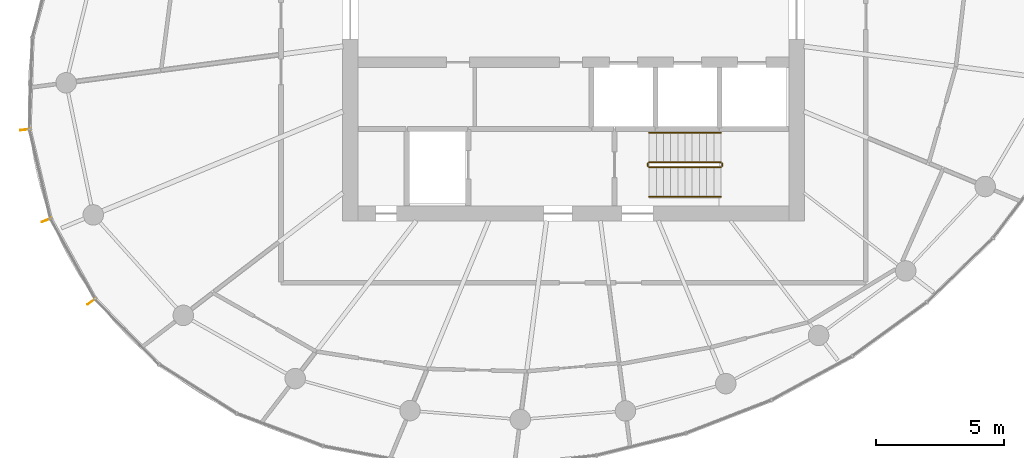
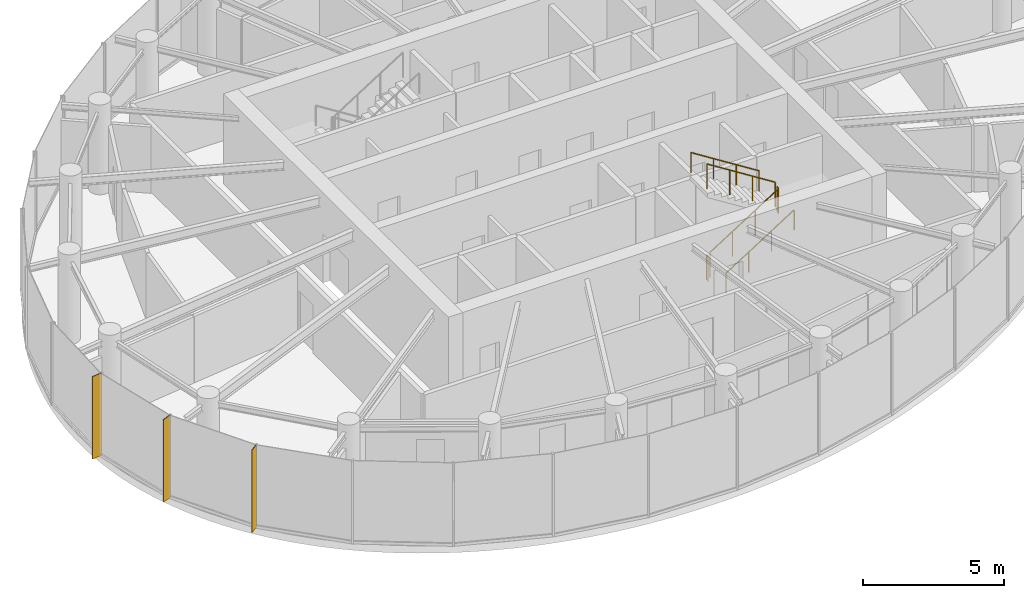
# One storey, part 12 of 13: 6 railings, 3 shading devices.
"""IFC4 building model written with IfcOpenShell, lengths in metres."""

import ifcopenshell
import ifcopenshell.guid

model = None  # the IFC model being written
_history = None  # IfcOwnerHistory: only IFC2X3 demands one
_inside = {}  # id of a spatial element -> (the spatial element, [elements in it])
_under = {}  # id of a project, library or spatial element -> (it, [spatial elements below it])
_declared = {}  # id of a project -> (the project, [libraries it declares])
_typed = {}  # id of a type object -> (the type object, [elements of that type])
_made_of = {}  # id of a material, layer set ... -> (it, [elements and type objects made of it])


def new_model(schema):
    """Start an empty IFC model of exactly this schema.

    Asked for "IFC4X3", IfcOpenShell would pick the latest addendum, in which some entities
    have other attributes; the version numbers below select the first issue.
    IFC2X3 requires an IfcOwnerHistory on every rooted entity: one is made here for all.
    """
    global model, _history
    if schema == "IFC4X3":
        model = ifcopenshell.file(schema_version=(4, 3, 0, 0))
    else:
        model = ifcopenshell.file(schema=schema)
    _inside.clear()
    _under.clear()
    _declared.clear()
    _typed.clear()
    _made_of.clear()
    _history = None
    if model.schema == "IFC2X3":
        org = make("IfcOrganization", Name="unknown")
        user = make(
            "IfcPersonAndOrganization",
            ThePerson=make("IfcPerson", FamilyName="unknown"),
            TheOrganization=org,
        )
        app = make(
            "IfcApplication",
            ApplicationDeveloper=org,
            Version="unknown",
            ApplicationFullName="unknown",
            ApplicationIdentifier="unknown",
        )
        _history = make(
            "IfcOwnerHistory",
            OwningUser=user,
            OwningApplication=app,
            ChangeAction="ADDED",
            CreationDate=0,
        )
    return model


def make(cls, **values):
    """One entity of the class cls with the attributes given. An attribute that is None is left unset."""
    return model.create_entity(
        cls, **{name: value for name, value in values.items() if value is not None}
    )


def rooted(cls, **values):
    """An entity with a GlobalId (a new one), such as an element, a storey or a relation."""
    return make(cls, GlobalId=ifcopenshell.guid.new(), OwnerHistory=_history, **values)


def si_unit(unit_type, name, prefix=None):
    """IfcSIUnit, for example si_unit("LENGTHUNIT", "METRE", prefix="MILLI")."""
    return make("IfcSIUnit", UnitType=unit_type, Prefix=prefix, Name=name)


def assignment(units):
    """IfcUnitAssignment: the units of a project."""
    return None if units is None else make("IfcUnitAssignment", Units=units)


def point(xyz):
    """IfcCartesianPoint."""
    return None if xyz is None else make("IfcCartesianPoint", Coordinates=xyz)


def direction(xyz):
    """IfcDirection."""
    return None if xyz is None else make("IfcDirection", DirectionRatios=xyz)


def frame(location, z_axis=None, x_axis=None):
    """IfcAxis2Placement3D, a coordinate frame: its origin and axes. An axis left out is left unset."""
    return make(
        "IfcAxis2Placement3D",
        Location=point(location),
        Axis=direction(z_axis),
        RefDirection=direction(x_axis),
    )


def frame_2d(location, x_axis=None):
    """IfcAxis2Placement2D, a coordinate frame in the plane: its origin and x axis."""
    return make(
        "IfcAxis2Placement2D", Location=point(location), RefDirection=direction(x_axis)
    )


def origin():
    """The frame at (0, 0, 0) with its axes left unset."""
    return frame((0.0, 0.0, 0.0))


def origin_2d():
    """The frame at (0, 0) in the plane with its x axis left unset."""
    return frame_2d((0.0, 0.0))


def place(relative_to, where):
    """IfcLocalPlacement: puts the frame where relative to a parent placement (None: the world)."""
    return make(
        "IfcLocalPlacement", PlacementRelTo=relative_to, RelativePlacement=where
    )


def context(
    kind, dimensions, precision=None, world=None, true_north=None, identifier=None
):
    """IfcGeometricRepresentationContext, for example the 3D "Model" context."""
    return make(
        "IfcGeometricRepresentationContext",
        ContextIdentifier=identifier,
        ContextType=kind,
        CoordinateSpaceDimension=dimensions,
        Precision=precision,
        WorldCoordinateSystem=world,
        TrueNorth=true_north,
    )


def subcontext(parent, identifier, kind, view, scale=None):
    """IfcGeometricRepresentationSubContext, for example "Body" below "Model"."""
    return make(
        "IfcGeometricRepresentationSubContext",
        ContextIdentifier=identifier,
        ContextType=kind,
        ParentContext=parent,
        TargetScale=scale,
        TargetView=view,
    )


def project(units=None, contexts=None):
    """IfcProject with its units and contexts."""
    return rooted(
        "IfcProject",
        Name="project",
        RepresentationContexts=contexts,
        UnitsInContext=assignment(units),
    )


def spatial(cls, under=None, at=None, **own):
    """A site, building, storey or space (cls), placed at a placement, below another one or the project."""
    s = rooted(cls, ObjectPlacement=at, **own)
    if under is not None:
        _under.setdefault(under.id(), (under, []))[1].append(s)
    return s


def profile(cls, at=None, kind="AREA", **sizes):
    """A parametric profile (cls). Its sizes go by their IFC names, for example OverallWidth=200.0."""
    return make(cls, ProfileType=kind, Position=at, **sizes)


def rectangle(**sizes):
    """IfcRectangleProfileDef."""
    return profile("IfcRectangleProfileDef", **sizes)


def circle(**sizes):
    """IfcCircleProfileDef."""
    return profile("IfcCircleProfileDef", **sizes)


def extrude(swept, where, along, depth):
    """IfcExtrudedAreaSolid: the profile swept, set in the frame where, extruded along a direction by depth."""
    return make(
        "IfcExtrudedAreaSolid",
        SweptArea=swept,
        Position=where,
        ExtrudedDirection=direction(along),
        Depth=depth,
    )


def shape(context_of_items, identifier, shape_type, items):
    """IfcShapeRepresentation: the items that make up one representation, for example the "Body"."""
    return make(
        "IfcShapeRepresentation",
        ContextOfItems=context_of_items,
        RepresentationIdentifier=identifier,
        RepresentationType=shape_type,
        Items=items,
    )


def source(mapping_origin, context_of_items, identifier, shape_type, items):
    """IfcRepresentationMap: a shape defined once, which mapped items show again and again."""
    return make(
        "IfcRepresentationMap",
        MappingOrigin=mapping_origin,
        MappedRepresentation=shape(context_of_items, identifier, shape_type, items),
    )


def transform(
    local_origin,
    x_axis=None,
    y_axis=None,
    z_axis=None,
    scale=None,
    scale2=None,
    scale3=None,
    uniform=True,
):
    """IfcCartesianTransformationOperator3D, or its non-uniform kind. x_axis, y_axis, z_axis: its Axis1, 2, 3."""
    if uniform:
        return make(
            "IfcCartesianTransformationOperator3D",
            Axis1=direction(x_axis),
            Axis2=direction(y_axis),
            LocalOrigin=point(local_origin),
            Scale=scale,
            Axis3=direction(z_axis),
        )
    return make(
        "IfcCartesianTransformationOperator3DnonUniform",
        Axis1=direction(x_axis),
        Axis2=direction(y_axis),
        LocalOrigin=point(local_origin),
        Scale=scale,
        Axis3=direction(z_axis),
        Scale2=scale2,
        Scale3=scale3,
    )


def mapped(mapping_source, mapping_target):
    """IfcMappedItem: shows the shape of a source again, moved by a transform."""
    return make(
        "IfcMappedItem", MappingSource=mapping_source, MappingTarget=mapping_target
    )


def material(Name=None, Category=None):
    """IfcMaterial."""
    return make("IfcMaterial", Name=Name, Category=Category)


def material_profile(
    of_material, cross_section, Name=None, Category=None, Priority=None
):
    """IfcMaterialProfile: a cross section and its material."""
    return make(
        "IfcMaterialProfile",
        Name=Name,
        Material=of_material,
        Profile=cross_section,
        Priority=Priority,
        Category=Category,
    )


def profile_set(profiles, Name=None, composite=None):
    """IfcMaterialProfileSet."""
    return make(
        "IfcMaterialProfileSet",
        Name=Name,
        MaterialProfiles=profiles,
        CompositeProfile=composite,
    )


def made_of(thing, what):
    """Note that an element or type object is made of a material, layer set ...; save() writes the relation."""
    if what is not None:
        _made_of.setdefault(what.id(), (what, []))[1].append(thing)
    return thing


def type_object(cls, material=None, **own):
    """A type object (cls), such as IfcWallType, which elements share."""
    return made_of(rooted(cls, **own), material)


def element(
    cls,
    number,
    at=None,
    inside=None,
    cuts=None,
    type_object=None,
    material=None,
    context=None,
    identifier="Body",
    shape_type=None,
    held_by="IfcProductDefinitionShape",
    body=None,
    shapes=None,
    **own,
):
    """One element of the class cls, such as IfcWall. Its Tag is "e" and its number.

    at: its placement. inside: the storey or other place that contains it. cuts: it is an
    opening in that element (IfcRelVoidsElement). A single representation is given by context,
    identifier, shape_type and body (its items); several are given by shapes. held_by: the class
    of the entity that holds the representations. save() writes the other relations.
    """
    e = rooted(cls, Tag="e%d" % number, ObjectPlacement=at, **own)
    if body is not None:
        shapes = [shape(context, identifier, shape_type, body)]
    if shapes is not None:
        e.Representation = make(held_by, Representations=shapes)
    if inside is not None:
        _inside.setdefault(inside.id(), (inside, []))[1].append(e)
    if cuts is not None:
        rooted(
            "IfcRelVoidsElement", RelatingBuildingElement=cuts, RelatedOpeningElement=e
        )
    if type_object is not None:
        _typed.setdefault(type_object.id(), (type_object, []))[1].append(e)
    return made_of(e, material)


def aggregate(whole, parts):
    """IfcRelAggregates: a whole, such as a stair, and the parts it consists of."""
    return rooted("IfcRelAggregates", RelatingObject=whole, RelatedObjects=parts)


def save(model, path):
    """Write the relations noted so far, then the file.

    IfcRelAggregates (storeys below a building ...), IfcRelContainedInSpatialStructure (elements
    in a storey), IfcRelDefinesByType, IfcRelAssociatesMaterial and IfcRelDeclares: one each for
    every whole, place, type object, material and project.
    """
    for whole, parts in _under.values():
        aggregate(whole, parts)
    for where, things in _inside.values():
        rooted(
            "IfcRelContainedInSpatialStructure",
            RelatedElements=things,
            RelatingStructure=where,
        )
    for kind, things in _typed.values():
        rooted("IfcRelDefinesByType", RelatedObjects=things, RelatingType=kind)
    for what, things in _made_of.values():
        rooted("IfcRelAssociatesMaterial", RelatedObjects=things, RelatingMaterial=what)
    for by, libraries in _declared.values():
        rooted("IfcRelDeclares", RelatingContext=by, RelatedDefinitions=libraries)
    model.write(path)


model = new_model("IFC4")

# Units and contexts
model_context = context("Model", 3, precision=1e-05, world=origin(), true_north=direction((0.0, 1.0)))
body_context = subcontext(model_context, "Body", "Model", "MODEL_VIEW")
ifc_project = project(units=[si_unit("LENGTHUNIT", "METRE"), si_unit("AREAUNIT", "SQUARE_METRE"), si_unit("VOLUMEUNIT", "CUBIC_METRE"), si_unit("PLANEANGLEUNIT", "RADIAN"), si_unit("MASSUNIT", "GRAM", prefix="KILO")], contexts=[model_context])

# Site, building, storey
site_placement = place(None, origin())
site = spatial("IfcSite", under=ifc_project, at=site_placement, CompositionType="ELEMENT")
building_placement = place(site_placement, origin())
building = spatial("IfcBuilding", under=site, at=building_placement, Name="Spindrift Exchange Tower", CompositionType="ELEMENT")
storey_placement = place(building_placement, frame((0.0, 0.0, 242.300048828125)))
storey = spatial("IfcBuildingStorey", under=building, at=storey_placement, Name="L59", CompositionType="ELEMENT", Elevation=242.300048828125)

# Railings
ifc_material_1 = material(Name="Steel balustrade", Category="steel")
railing_type_1 = type_object("IfcRailingType", Name="RL-STAIR-GUARD", PredefinedType="GUARDRAIL", material=ifc_material_1)
railing_1_placement = place(storey_placement, frame((54.949951171875, 42.10009765625, 0.17724609375)))
element("IfcRailing", 1, at=railing_1_placement, inside=storey, type_object=railing_type_1, Name="L59 ST2 stair guard 1", PredefinedType="GUARDRAIL", context=body_context, shape_type="SweptSolid", body=[
    extrude(circle(Radius=0.02392578125, at=origin_2d()), frame((0.0, 0.0, 1.076171875), z_axis=(0.844908973607, 0.0, 0.534910110503), x_axis=(0.0, 1.0, 0.0)), (0.0, 0.0, 1.0), 3.31396484375),
    extrude(circle(Radius=0.02099609375, at=origin_2d()), origin(), (0.0, 0.0, 1.0), 1.052001953125),
    extrude(circle(Radius=0.02099609375, at=origin_2d()), frame((0.933349609375, 0.0, 0.5908203125)), (0.0, 0.0, 1.0), 1.052001953125),
    extrude(circle(Radius=0.02099609375, at=origin_2d()), frame((1.86669921875, 0.0, 1.181884765625)), (0.0, 0.0, 1.0), 1.052001953125),
    extrude(circle(Radius=0.02099609375, at=origin_2d()), frame((2.800048828125, 0.0, 1.772705078125)), (0.0, 0.0, 1.0), 1.052001953125),
])
railing_2_placement = place(storey_placement, frame((57.800048828125, 42.14990234375, 1.949951171875)))
element("IfcRailing", 2, at=railing_2_placement, inside=storey, type_object=railing_type_1, Name="L59 ST2 stair guard 2", PredefinedType="GUARDRAIL", context=body_context, shape_type="SweptSolid", body=[
    extrude(circle(Radius=0.02392578125, at=origin_2d()), frame((0.0, 0.0, 1.076171875), z_axis=(0.0, 1.0, 0.0), x_axis=(-1.0, 0.0, 0.0)), (0.0, 0.0, 1.0), 0.10009765625),
    extrude(circle(Radius=0.02099609375, at=origin_2d()), origin(), (0.0, 0.0, 1.0), 1.052001953125),
    extrude(circle(Radius=0.02099609375, at=origin_2d()), frame((0.0, 0.10009765625, 0.0)), (0.0, 0.0, 1.0), 1.052001953125),
])
railing_3_placement = place(storey_placement, frame((57.75, 42.300048828125, 2.127197265625)))
element("IfcRailing", 3, at=railing_3_placement, inside=storey, type_object=railing_type_1, Name="L59 ST2 stair guard 3", PredefinedType="GUARDRAIL", context=body_context, shape_type="SweptSolid", body=[
    extrude(circle(Radius=0.02392578125, at=origin_2d()), frame((0.0, 0.0, 1.076171875), z_axis=(-0.844908973607, 0.0, 0.534910110503), x_axis=(0.0, -1.0, 0.0)), (0.0, 0.0, 1.0), 3.31396484375),
    extrude(circle(Radius=0.02099609375, at=origin_2d()), origin(), (0.0, 0.0, 1.0), 1.052001953125),
    extrude(circle(Radius=0.02099609375, at=origin_2d()), frame((-0.933349609375, 0.0, 0.5908203125)), (0.0, 0.0, 1.0), 1.052001953125),
    extrude(circle(Radius=0.02099609375, at=origin_2d()), frame((-1.86669921875, 0.0, 1.181884765625)), (0.0, 0.0, 1.0), 1.052001953125),
    extrude(circle(Radius=0.02099609375, at=origin_2d()), frame((-2.800048828125, 0.0, 1.772705078125)), (0.0, 0.0, 1.0), 1.052001953125),
])
railing_4_placement = place(storey_placement, frame((54.89990234375, 42.14990234375, 0.0)))
element("IfcRailing", 4, at=railing_4_placement, inside=storey, type_object=railing_type_1, Name="L59 ST2 stair guard 4", PredefinedType="GUARDRAIL", context=body_context, shape_type="SweptSolid", body=[
    extrude(circle(Radius=0.02392578125, at=origin_2d()), frame((0.0, 0.0, 1.076171875), z_axis=(0.0, 1.0, 0.0), x_axis=(-1.0, 0.0, 0.0)), (0.0, 0.0, 1.0), 0.10009765625),
    extrude(circle(Radius=0.02099609375, at=origin_2d()), origin(), (0.0, 0.0, 1.0), 1.052001953125),
    extrude(circle(Radius=0.02099609375, at=origin_2d()), frame((0.0, 0.10009765625, 0.0)), (0.0, 0.0, 1.0), 1.052001953125),
])
ifc_material_2 = material(Name="Steel tubular handrail", Category="steel")
railing_type_2 = type_object("IfcRailingType", Name="RL-STAIR-HAND", PredefinedType="HANDRAIL", material=ifc_material_2)
railing_5_placement = place(storey_placement, frame((54.949951171875, 40.949951171875, 0.17724609375)))
element("IfcRailing", 5, at=railing_5_placement, inside=storey, type_object=railing_type_2, Name="L59 ST2 stair handrail 1", PredefinedType="HANDRAIL", context=body_context, shape_type="SweptSolid", body=[
    extrude(circle(Radius=0.02392578125, at=origin_2d()), frame((0.0, 0.0, 0.8759765625), z_axis=(0.844908973607, 0.0, 0.534910110503), x_axis=(0.0, 1.0, 0.0)), (0.0, 0.0, 1.0), 3.31396484375),
    extrude(circle(Radius=0.02099609375, at=origin_2d()), origin(), (0.0, 0.0, 1.0), 0.851806640625),
    extrude(circle(Radius=0.02099609375, at=origin_2d()), frame((0.933349609375, 0.0, 0.5908203125)), (0.0, 0.0, 1.0), 0.851806640625),
    extrude(circle(Radius=0.02099609375, at=origin_2d()), frame((1.86669921875, 0.0, 1.181884765625)), (0.0, 0.0, 1.0), 0.851806640625),
    extrude(circle(Radius=0.02099609375, at=origin_2d()), frame((2.800048828125, 0.0, 1.772705078125)), (0.0, 0.0, 1.0), 0.851806640625),
])
railing_6_placement = place(storey_placement, frame((57.75, 43.449951171875, 2.127197265625)))
element("IfcRailing", 6, at=railing_6_placement, inside=storey, type_object=railing_type_2, Name="L59 ST2 stair handrail 2", PredefinedType="HANDRAIL", context=body_context, shape_type="SweptSolid", body=[
    extrude(circle(Radius=0.02392578125, at=origin_2d()), frame((0.0, 0.0, 0.8759765625), z_axis=(-0.844908973607, 0.0, 0.534910110503), x_axis=(0.0, -1.0, 0.0)), (0.0, 0.0, 1.0), 3.31396484375),
    extrude(circle(Radius=0.02099609375, at=origin_2d()), origin(), (0.0, 0.0, 1.0), 0.851806640625),
    extrude(circle(Radius=0.02099609375, at=origin_2d()), frame((-0.933349609375, 0.0, 0.5908203125)), (0.0, 0.0, 1.0), 0.851806640625),
    extrude(circle(Radius=0.02099609375, at=origin_2d()), frame((-1.86669921875, 0.0, 1.181884765625)), (0.0, 0.0, 1.0), 0.851806640625),
    extrude(circle(Radius=0.02099609375, at=origin_2d()), frame((-2.800048828125, 0.0, 1.772705078125)), (0.0, 0.0, 1.0), 0.851806640625),
])

# Shading devices
ifc_material_3 = material(Name="Bronze anodised aluminium", Category="aluminium")
ifc_material_profile = material_profile(ifc_material_3, rectangle(XDim=0.030029296875, YDim=0.39990234375, at=origin_2d()), Name="WIND FIN 30X400")
ifc_profile_set = profile_set([ifc_material_profile], Name="Bronze anodised aluminium")
shading_device_type = type_object("IfcShadingDeviceType", Name="WIND FIN 30X400", PredefinedType="USERDEFINED", material=ifc_profile_set)
shared_shape = source(origin(), body_context, "Body", "SweptSolid", [
    extrude(rectangle(XDim=0.030029296875, YDim=0.39990234375, at=origin_2d()), origin(), (0.0, 0.0, 1.0), 3.579833984375),
])
for number, where, z_axis, x_axis, name in (
    (7, (30.62548828125, 43.56640625, 0.0), (0.0, 0.0, 1.0), (0.099979673697, -0.994989479767, 0.0), "L59 wind fin 1"),
    (8, (31.458740234375, 40.040283203125, 0.0), (0.0, 0.0, 1.0), (0.361318634764, -0.932442407965, 0.0), "L59 wind fin 2"),
    (9, (33.218994140625, 36.87353515625, 0.0), (0.0, 0.0, 1.0), (0.596562506791, -0.802566617479, 0.0), "L59 wind fin 3"),
):
    element("IfcShadingDevice", number, at=place(storey_placement, frame(where, z_axis=z_axis, x_axis=x_axis)), inside=storey, type_object=shading_device_type, Name=name, ObjectType="FIN", PredefinedType="USERDEFINED", context=body_context, shape_type="MappedRepresentation", body=[
        mapped(shared_shape, transform((0.0, 0.0, 0.0), scale=1.0)),
    ])

save(model, "model.ifc")
